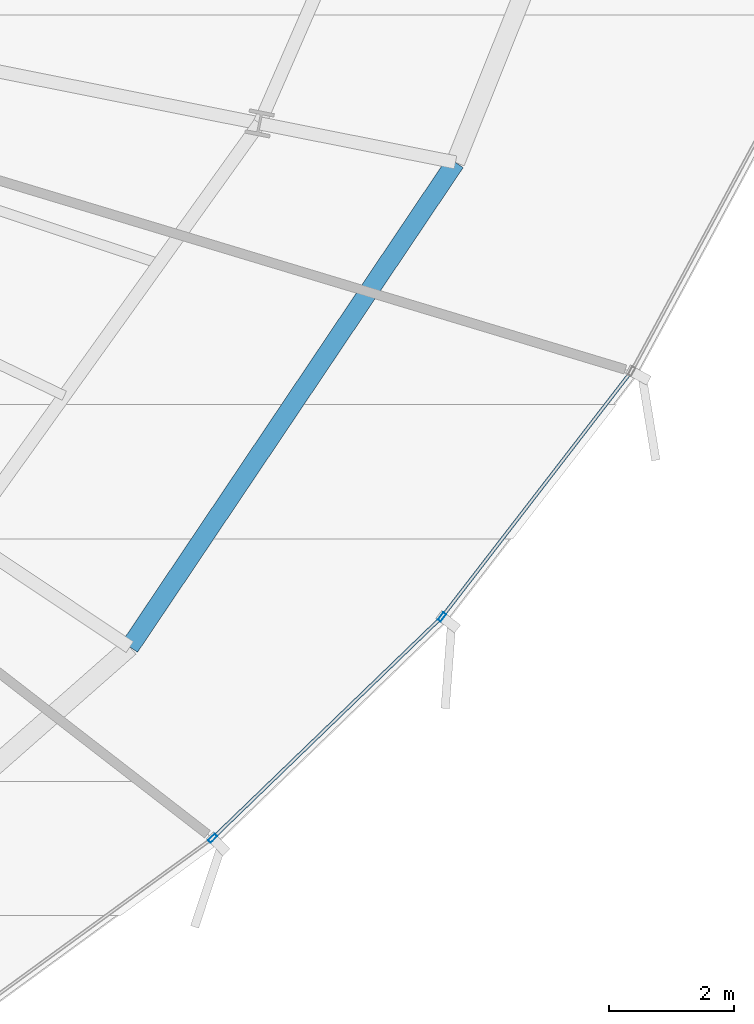
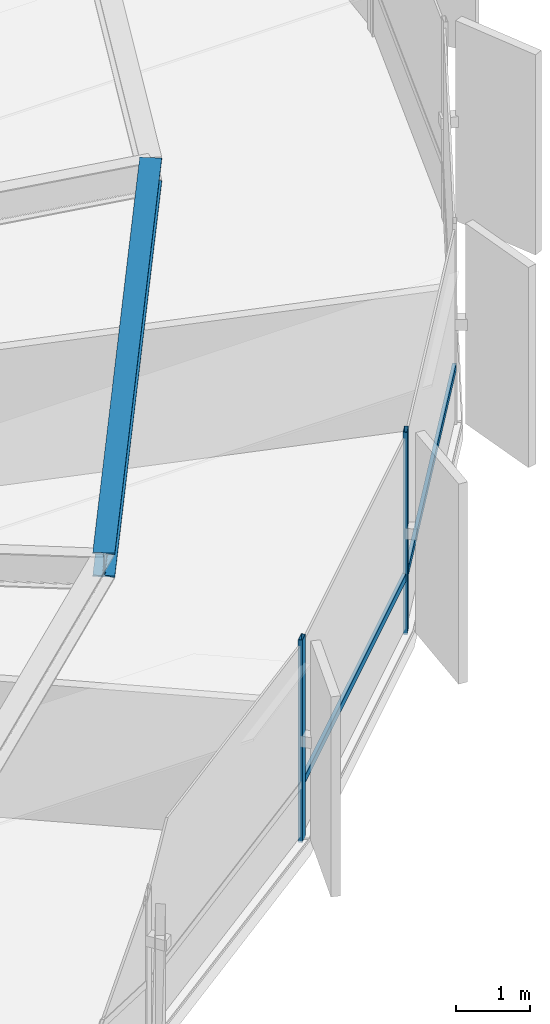
# One storey, part 13 of 35: 4 members, 1 beam, 1 element without a shape of its own.
"""IFC4 building model written with IfcOpenShell, lengths in metres."""

from ifc_helpers import new_model, si_unit, direction, frame, origin, origin_2d, place, context, subcontext, project, spatial, hollow_rectangle, i_section, extrude, source, transform, mapped, material, layer, layer_set, material_profile, profile_set, type_object, element, aggregate, save


model = new_model("IFC4")

# Units and contexts
model_context = context("Model", 3, precision=1e-05, world=origin(), true_north=direction((0.0, 1.0)))
body_context = subcontext(model_context, "Body", "Model", "MODEL_VIEW")
ifc_project = project(units=[si_unit("LENGTHUNIT", "METRE"), si_unit("AREAUNIT", "SQUARE_METRE"), si_unit("VOLUMEUNIT", "CUBIC_METRE"), si_unit("PLANEANGLEUNIT", "RADIAN"), si_unit("MASSUNIT", "GRAM", prefix="KILO"), si_unit("THERMODYNAMICTEMPERATUREUNIT", "KELVIN")], contexts=[model_context])

# Site, building, storey
site_placement = place(None, origin())
site = spatial("IfcSite", under=ifc_project, at=site_placement, CompositionType="ELEMENT")
building_placement = place(site_placement, origin())
building = spatial("IfcBuilding", under=site, at=building_placement, Name="Kethvar Cultural Tower", CompositionType="ELEMENT")
storey_placement = place(building_placement, frame((0.0, 0.0, 100.0)))
storey = spatial("IfcBuildingStorey", under=building, at=storey_placement, Name="L24", CompositionType="ELEMENT", Elevation=100.0)

# Beam
ifc_material_1 = material(Name="Steel S355J2", Category="steel")
ifc_material_profile_1 = material_profile(ifc_material_1, i_section(OverallWidth=0.300048828125, OverallDepth=0.39990234375, WebThickness=0.013427734375, FlangeThickness=0.02392578125, FilletRadius=0.027099609375, at=origin_2d()), Name="Steel S355J2 — HEB400")
ifc_profile_set_1 = profile_set([ifc_material_profile_1], Name="Steel S355J2 — HEB400")
beam_type = type_object("IfcBeamType", Name="BM-SP400", PredefinedType="SPANDREL", material=ifc_profile_set_1)
shared_shape_1 = source(origin(), body_context, "Body", "SweptSolid", [
    extrude(i_section(OverallWidth=0.300048828125, OverallDepth=0.39990234375, WebThickness=0.013427734375, FlangeThickness=0.02392578125, FilletRadius=0.027099609375, at=origin_2d()), origin(), (0.0, 0.0, 1.0), 9.355224609375),
])
beam_placement = place(storey_placement, frame((65.559326171875, 15.265380859375, 3.14794921875), z_axis=(0.557731714622, 0.830021285573, 0.0), x_axis=(-0.830021285573, 0.557731714622, 0.0)))
element("IfcBeam", 1, at=beam_placement, inside=storey, type_object=beam_type, Name="L24 Perimeter Spandrel Beam SP-15", PredefinedType="SPANDREL", context=body_context, shape_type="MappedRepresentation", body=[
    mapped(shared_shape_1, transform((0.0, 0.0, 0.0), scale=1.0)),
])

# Curtain wall, members
ifc_material_2 = material(Name="Aluminium 6063-T6", Category="aluminium")
ifc_layer = layer(ifc_material_2, 0.179931640625, Name="Aluminium 6063-T6", Category="aluminium")
ifc_layer_set = layer_set([ifc_layer], Name="Aluminium 6063-T6 (180 mm)")
curtain_wall_type = type_object("IfcCurtainWallType", Name="CW-SYS-03-Z2", PredefinedType="NOTDEFINED", material=ifc_layer_set)
curtain_wall_placement = place(storey_placement, origin())
curtain_wall = element("IfcCurtainWall", 2, at=curtain_wall_placement, inside=storey, type_object=curtain_wall_type, Name="L24 Curtain Wall Run 06", PredefinedType="NOTDEFINED")
ifc_material_profile_2 = material_profile(ifc_material_2, hollow_rectangle(XDim=0.06005859375, YDim=0.14990234375, WallThickness=0.0048828125, at=origin_2d()), Name="Aluminium 6063-T6 — RHS150x60x5")
ifc_profile_set_2 = profile_set([ifc_material_profile_2], Name="Aluminium 6063-T6 — RHS150x60x5")
member_type_1 = type_object("IfcMemberType", Name="CW-SYS-03-Z2-MUL", PredefinedType="MULLION", material=ifc_profile_set_2)
shared_shape_2 = source(origin(), body_context, "Body", "SweptSolid", [
    extrude(hollow_rectangle(XDim=0.06005859375, YDim=0.14990234375, WallThickness=0.0048828125, at=origin_2d()), origin(), (0.0, 0.0, 1.0), 3.35009765625),
])
member_1_placement = place(storey_placement, frame((66.8876953125, 12.2021484375, 0.0), z_axis=(0.0, 0.0, 1.0), x_axis=(-0.694545368258, 0.719448908145, 0.0)))
member_1 = element("IfcMember", 3, at=member_1_placement, type_object=member_type_1, Name="CW-L24-R06 Mullion 3", PredefinedType="MULLION", context=body_context, shape_type="MappedRepresentation", body=[
    mapped(shared_shape_2, transform((0.0, 0.0, 0.0), scale=1.0)),
])
member_2_placement = place(storey_placement, frame((70.561279296875, 15.746826171875, 0.0), z_axis=(0.0, 0.0, 1.0), x_axis=(-0.791831511467, 0.610739598722, 0.0)))
member_2 = element("IfcMember", 4, at=member_2_placement, type_object=member_type_1, Name="CW-L24-R06 Mullion 4", PredefinedType="MULLION", context=body_context, shape_type="MappedRepresentation", body=[
    mapped(shared_shape_2, transform((0.0, 0.0, 0.0), scale=1.0)),
])
ifc_material_profile_3 = material_profile(ifc_material_2, hollow_rectangle(XDim=0.054931640625, YDim=0.1201171875, WallThickness=0.00390625, at=origin_2d()), Name="Aluminium 6063-T6 — RHS120x55x4")
ifc_profile_set_3 = profile_set([ifc_material_profile_3], Name="Aluminium 6063-T6 — RHS120x55x4")
member_type_2 = type_object("IfcMemberType", Name="CW-SYS-03-Z2-TRN", PredefinedType="USERDEFINED", material=ifc_profile_set_3)
shared_shape_3 = source(origin(), body_context, "Body", "SweptSolid", [
    extrude(hollow_rectangle(XDim=0.054931640625, YDim=0.1201171875, WallThickness=0.00390625, at=origin_2d()), origin(), (0.0, 0.0, 1.0), 5.03515625),
])
member_3_placement = place(storey_placement, frame((66.918701171875, 12.232177734375, 0.949951171875), z_axis=(0.719458270701, 0.694535669869, 0.0), x_axis=(-0.694535669869, 0.719458270701, 0.0)))
member_3 = element("IfcMember", 5, at=member_3_placement, type_object=member_type_2, Name="CW-L24-R06 Transom 3", ObjectType="TRANSOM", PredefinedType="USERDEFINED", context=body_context, shape_type="MappedRepresentation", body=[
    mapped(shared_shape_3, transform((0.0, 0.0, 0.0), scale=1.0)),
])
shared_shape_4 = source(origin(), body_context, "Body", "SweptSolid", [
    extrude(hollow_rectangle(XDim=0.054931640625, YDim=0.1201171875, WallThickness=0.00390625, at=origin_2d()), origin(), (0.0, 0.0, 1.0), 4.903564453125),
])
member_4_placement = place(storey_placement, frame((70.587646484375, 15.781005859375, 0.949951171875), z_axis=(0.610747269459, 0.791825594969, 0.0), x_axis=(-0.791825594969, 0.610747269459, 0.0)))
member_4 = element("IfcMember", 6, at=member_4_placement, type_object=member_type_2, Name="CW-L24-R06 Transom 4", ObjectType="TRANSOM", PredefinedType="USERDEFINED", context=body_context, shape_type="MappedRepresentation", body=[
    mapped(shared_shape_4, transform((0.0, 0.0, 0.0), scale=1.0)),
])
aggregate(curtain_wall, [member_1, member_2, member_3, member_4])

save(model, "model.ifc")
